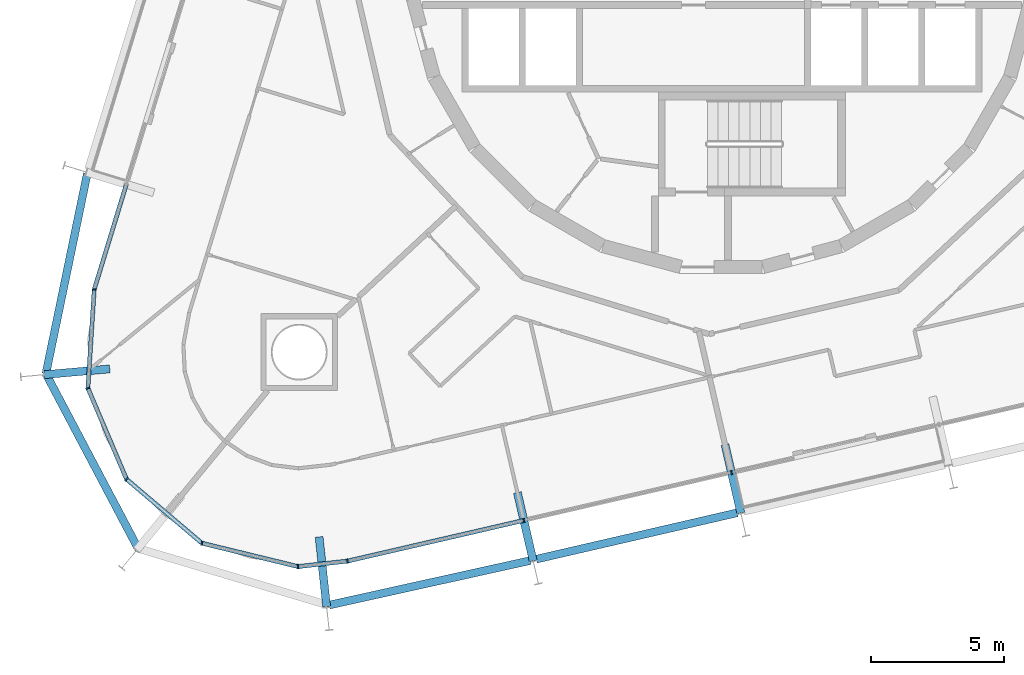
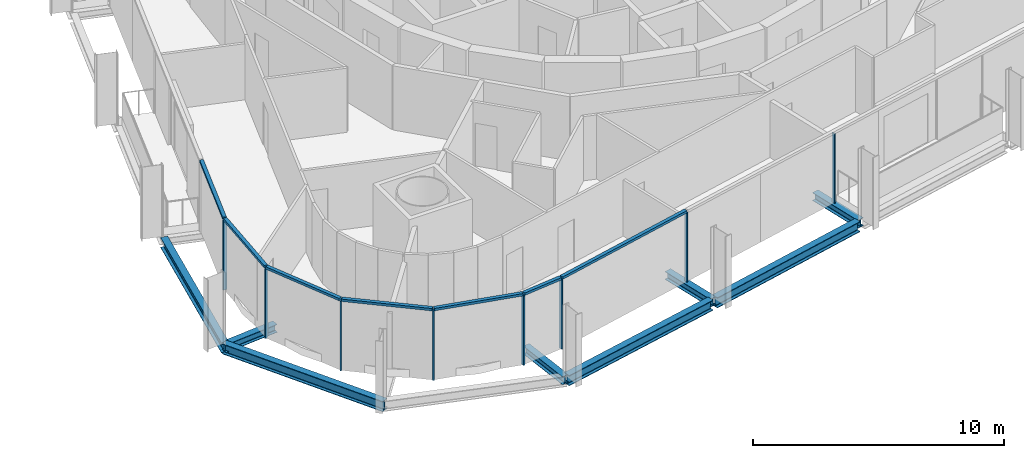
# One storey, part 3 of 18: 15 members, 8 beams, 2 elements without a shape of their own.
"""IFC4 building model written with IfcOpenShell, lengths in metres."""

from ifc_helpers import new_model, si_unit, direction, frame, origin, origin_2d, place, context, subcontext, project, spatial, rectangle, i_section, extrude, material, layer, layer_set, material_profile, profile_set, type_object, element, aggregate, save


model = new_model("IFC4")

# Units and contexts
model_context = context("Model", 3, precision=1e-05, world=origin(), true_north=direction((0.0, 1.0)))
body_context = subcontext(model_context, "Body", "Model", "MODEL_VIEW")
ifc_project = project(units=[si_unit("LENGTHUNIT", "METRE"), si_unit("AREAUNIT", "SQUARE_METRE"), si_unit("VOLUMEUNIT", "CUBIC_METRE"), si_unit("PLANEANGLEUNIT", "RADIAN"), si_unit("MASSUNIT", "GRAM", prefix="KILO")], contexts=[model_context])

# Site, building, storey
site_placement = place(None, origin())
site = spatial("IfcSite", under=ifc_project, at=site_placement, CompositionType="ELEMENT")
building_placement = place(site_placement, origin())
building = spatial("IfcBuilding", under=site, at=building_placement, Name="Spindle Arch Residences", CompositionType="ELEMENT")
storey_placement = place(building_placement, frame((0.0, 0.0, 137.89990234375)))
storey = spatial("IfcBuildingStorey", under=building, at=storey_placement, Name="L34", CompositionType="ELEMENT", Elevation=137.89990234375)

# Curtain wall, members
ifc_material_1 = material(Name="Aluminium bronze unitised frame with tinted glass", Category="aluminium")
ifc_layer_1 = layer(ifc_material_1, 0.159912109375)
ifc_layer_set_1 = layer_set([ifc_layer_1], Name="CW-D corner wall on the fillet arcs")
curtain_wall_type_1 = type_object("IfcCurtainWallType", Name="CW-D corner wall on the fillet arcs", PredefinedType="NOTDEFINED", material=ifc_layer_set_1)
curtain_wall_1_placement = place(storey_placement, origin())
curtain_wall_1 = element("IfcCurtainWall", 1, at=curtain_wall_1_placement, inside=storey, type_object=curtain_wall_type_1, Name="CW-D L34 run 5", PredefinedType="NOTDEFINED")
ifc_material_2 = material(Name="Aluminium bronze anodised mullion", Category="aluminium")
ifc_material_profile_1 = material_profile(ifc_material_2, rectangle(XDim=0.159912109375, YDim=0.06005859375, at=origin_2d()), Name="MU 60x160")
ifc_profile_set_1 = profile_set([ifc_material_profile_1], Name="Aluminium bronze anodised mullion")
member_type_1 = type_object("IfcMemberType", Name="Bronze mullion 60x160", PredefinedType="MULLION", material=ifc_profile_set_1)
member_1_placement = place(storey_placement, frame((-23.6572265625, -12.49267578125, -0.3798828125), z_axis=(0.0, 0.0, 1.0), x_axis=(0.997952993046, -0.063951729226, 0.0)))
member_1 = element("IfcMember", 2, at=member_1_placement, type_object=member_type_1, Name="CW-D mullion 01", PredefinedType="MULLION", context=body_context, shape_type="SweptSolid", body=[
    extrude(rectangle(XDim=0.159912109375, YDim=0.06005859375, at=origin_2d()), origin(), (0.0, 0.0, 1.0), 3.3798828125),
])
member_2_placement = place(storey_placement, frame((-23.8955078125, -16.2119140625, -0.3798828125), z_axis=(0.0, 0.0, 1.0), x_axis=(0.920504854032, 0.390731127124, 0.0)))
member_2 = element("IfcMember", 3, at=member_2_placement, type_object=member_type_1, Name="CW-D mullion 02", PredefinedType="MULLION", context=body_context, shape_type="SweptSolid", body=[
    extrude(rectangle(XDim=0.159912109375, YDim=0.06005859375, at=origin_2d()), origin(), (0.0, 0.0, 1.0), 3.3798828125),
])
member_3_placement = place(storey_placement, frame((-22.439208984375, -19.642333984375, -0.3798828125), z_axis=(0.0, 0.0, 1.0), x_axis=(0.647233374321, 0.762291912042, 0.0)))
member_3 = element("IfcMember", 4, at=member_3_placement, type_object=member_type_1, Name="CW-D mullion 03", PredefinedType="MULLION", context=body_context, shape_type="SweptSolid", body=[
    extrude(rectangle(XDim=0.159912109375, YDim=0.06005859375, at=origin_2d()), origin(), (0.0, 0.0, 1.0), 3.3798828125),
])
member_4_placement = place(storey_placement, frame((-19.598388671875, -22.054443359375, -0.3798828125), z_axis=(0.0, 0.0, 1.0), x_axis=(0.23627288281, 0.971686742139, 0.0)))
member_4 = element("IfcMember", 5, at=member_4_placement, type_object=member_type_1, Name="CW-D mullion 04", PredefinedType="MULLION", context=body_context, shape_type="SweptSolid", body=[
    extrude(rectangle(XDim=0.159912109375, YDim=0.06005859375, at=origin_2d()), origin(), (0.0, 0.0, 1.0), 3.3798828125),
])
member_5_placement = place(storey_placement, frame((-15.977294921875, -22.93505859375, -0.3798828125), z_axis=(0.0, 0.0, 1.0), x_axis=(-0.110312554381, 0.993896946542, 0.0)))
member_5 = element("IfcMember", 6, at=member_5_placement, type_object=member_type_1, Name="CW-D mullion 05", PredefinedType="MULLION", context=body_context, shape_type="SweptSolid", body=[
    extrude(rectangle(XDim=0.159912109375, YDim=0.06005859375, at=origin_2d()), origin(), (0.0, 0.0, 1.0), 3.3798828125),
])
member_6_placement = place(storey_placement, frame((-14.112548828125, -22.72802734375, -0.3798828125), z_axis=(0.0, 0.0, 1.0), x_axis=(-0.224951054344, 0.974370064785, 0.0)))
member_6 = element("IfcMember", 7, at=member_6_placement, type_object=member_type_1, Name="CW-D mullion 06", PredefinedType="MULLION", context=body_context, shape_type="SweptSolid", body=[
    extrude(rectangle(XDim=0.159912109375, YDim=0.06005859375, at=origin_2d()), origin(), (0.0, 0.0, 1.0), 3.3798828125),
])

ifc_material_3 = material(Name="Aluminium bronze unitised frame with tinted glass", Category="aluminium")
ifc_layer_2 = layer(ifc_material_3, 0.159912109375)
ifc_layer_set_2 = layer_set([ifc_layer_2], Name="CW-C typical residential unitised wall")
curtain_wall_type_2 = type_object("IfcCurtainWallType", Name="CW-C typical residential unitised wall", PredefinedType="NOTDEFINED", material=ifc_layer_set_2)
curtain_wall_2_placement = place(storey_placement, origin())
curtain_wall_2 = element("IfcCurtainWall", 8, at=curtain_wall_2_placement, inside=storey, type_object=curtain_wall_type_2, Name="CW-C L34 run 6", PredefinedType="NOTDEFINED")
member_7_placement = place(storey_placement, frame((-7.467529296875, -21.19384765625, -0.3798828125), z_axis=(0.0, 0.0, 1.0), x_axis=(-0.224951054344, 0.974370064785, 0.0)))
member_7 = element("IfcMember", 9, at=member_7_placement, type_object=member_type_1, Name="CW-C mullion 20", PredefinedType="MULLION", context=body_context, shape_type="SweptSolid", body=[
    extrude(rectangle(XDim=0.159912109375, YDim=0.06005859375, at=origin_2d()), origin(), (0.0, 0.0, 1.0), 3.3798828125),
])
member_8_placement = place(storey_placement, frame((0.355712890625, -19.3876953125, -0.3798828125), z_axis=(0.0, 0.0, 1.0), x_axis=(-0.224951054344, 0.974370064785, 0.0)))
member_8 = element("IfcMember", 10, at=member_8_placement, type_object=member_type_1, Name="CW-C mullion 21", PredefinedType="MULLION", context=body_context, shape_type="SweptSolid", body=[
    extrude(rectangle(XDim=0.159912109375, YDim=0.06005859375, at=origin_2d()), origin(), (0.0, 0.0, 1.0), 3.3798828125),
])
aggregate(curtain_wall_2, [member_7, member_8])

# Member
ifc_material_4 = material(Name="Aluminium bronze anodised transom", Category="aluminium")
ifc_material_profile_2 = material_profile(ifc_material_4, rectangle(XDim=0.159912109375, YDim=0.1201171875, at=origin_2d()), Name="TR 120x160")
ifc_profile_set_2 = profile_set([ifc_material_profile_2], Name="Aluminium bronze anodised transom")
member_type_2 = type_object("IfcMemberType", Name="Bronze transom 120x160", PredefinedType="USERDEFINED", material=ifc_profile_set_2)
member_9_placement = place(storey_placement, frame((-22.45458984375, -8.55908203125, 3.06005859375), z_axis=(-0.292362833345, -0.95630746817, 0.0), x_axis=(0.95630746817, -0.292362833345, 0.0)))
member_9 = element("IfcMember", 11, at=member_9_placement, type_object=member_type_2, Name="CW-D transom 00", ObjectType="TRANSOM", PredefinedType="USERDEFINED", context=body_context, shape_type="SweptSolid", body=[
    extrude(rectangle(XDim=0.159912109375, YDim=0.1201171875, at=origin_2d()), origin(), (0.0, 0.0, 1.0), 4.08349609375),
])

member_10_placement = place(storey_placement, frame((-23.6591796875, -12.522705078125, 3.06005859375), z_axis=(-0.063920256807, -0.997955009392, 0.0), x_axis=(0.997955009392, -0.063920256807, 0.0)))
member_10 = element("IfcMember", 12, at=member_10_placement, type_object=member_type_2, Name="CW-D transom 01", ObjectType="TRANSOM", PredefinedType="USERDEFINED", context=body_context, shape_type="SweptSolid", body=[
    extrude(rectangle(XDim=0.159912109375, YDim=0.1201171875, at=origin_2d()), origin(), (0.0, 0.0, 1.0), 3.666748046875),
])

member_11_placement = place(storey_placement, frame((-23.8837890625, -16.239501953125, 3.06005859375), z_axis=(0.39076699022, -0.920489630226, 0.0), x_axis=(0.920489630226, 0.39076699022, 0.0)))
member_11 = element("IfcMember", 13, at=member_11_placement, type_object=member_type_2, Name="CW-D transom 02", ObjectType="TRANSOM", PredefinedType="USERDEFINED", context=body_context, shape_type="SweptSolid", body=[
    extrude(rectangle(XDim=0.159912109375, YDim=0.1201171875, at=origin_2d()), origin(), (0.0, 0.0, 1.0), 3.666748046875),
])

member_12_placement = place(storey_placement, frame((-22.41650390625, -19.661865234375, 3.06005859375), z_axis=(0.762289120673, -0.647236661897, 0.0), x_axis=(0.647236661897, 0.762289120673, 0.0)))
member_12 = element("IfcMember", 14, at=member_12_placement, type_object=member_type_2, Name="CW-D transom 03", ObjectType="TRANSOM", PredefinedType="USERDEFINED", context=body_context, shape_type="SweptSolid", body=[
    extrude(rectangle(XDim=0.159912109375, YDim=0.1201171875, at=origin_2d()), origin(), (0.0, 0.0, 1.0), 3.666748046875),
])

member_13_placement = place(storey_placement, frame((-19.5693359375, -22.0615234375, 3.06005859375), z_axis=(0.971681239144, -0.236295513068, 0.0), x_axis=(0.236295513068, 0.971681239144, 0.0)))
member_13 = element("IfcMember", 15, at=member_13_placement, type_object=member_type_2, Name="CW-D transom 04", ObjectType="TRANSOM", PredefinedType="USERDEFINED", context=body_context, shape_type="SweptSolid", body=[
    extrude(rectangle(XDim=0.159912109375, YDim=0.1201171875, at=origin_2d()), origin(), (0.0, 0.0, 1.0), 3.666748046875),
])

member_14_placement = place(storey_placement, frame((-15.947509765625, -22.931640625, 3.06005859375), z_axis=(0.993906663087, 0.110224974808, 0.0), x_axis=(-0.110224974808, 0.993906663087, 0.0)))
member_14 = element("IfcMember", 16, at=member_14_placement, type_object=member_type_2, Name="CW-D transom 05", ObjectType="TRANSOM", PredefinedType="USERDEFINED", context=body_context, shape_type="SweptSolid", body=[
    extrude(rectangle(XDim=0.159912109375, YDim=0.1201171875, at=origin_2d()), origin(), (0.0, 0.0, 1.0), 1.816162109375),
])

member_15_placement = place(storey_placement, frame((-14.083251953125, -22.721435546875, 3.06005859375), z_axis=(0.974365014398, 0.224972928856, 0.0), x_axis=(-0.224972928856, 0.974365014398, 0.0)))
member_15 = element("IfcMember", 17, at=member_15_placement, type_object=member_type_2, Name="CW-D transom 06", ObjectType="TRANSOM", PredefinedType="USERDEFINED", context=body_context, shape_type="SweptSolid", body=[
    extrude(rectangle(XDim=0.159912109375, YDim=0.1201171875, at=origin_2d()), origin(), (0.0, 0.0, 1.0), 6.759765625),
])

aggregate(curtain_wall_1, [member_9, member_1, member_10, member_2, member_11, member_3, member_12, member_4, member_13, member_5, member_14, member_6, member_15])

# Beams
ifc_material_5 = material(Name="Steel S460ML, intumescent coating R 120", Category="steel")
ifc_material_profile_3 = material_profile(ifc_material_5, i_section(OverallWidth=0.300048828125, OverallDepth=0.5, WebThickness=0.014404296875, FlangeThickness=0.028076171875, FilletRadius=0.027099609375, at=origin_2d()), Name="HEB 500")
ifc_profile_set_3 = profile_set([ifc_material_profile_3], Name="Steel S460ML, intumescent coating R 120")
beam_type_1 = type_object("IfcBeamType", Name="Exoskeleton edge beam HEB 500", PredefinedType="BEAM", material=ifc_profile_set_3)
beam_1_placement = place(storey_placement, frame((-23.91650390625, -8.1181640625, -0.6298828125), z_axis=(-0.202483065161, -0.979285764383, 0.0), x_axis=(0.979285764383, -0.202483065161, 0.0)))
element("IfcBeam", 18, at=beam_1_placement, inside=storey, type_object=beam_type_1, Name="Exoskeleton edge beam 17", PredefinedType="BEAM", context=body_context, shape_type="SweptSolid", body=[
    extrude(i_section(OverallWidth=0.300048828125, OverallDepth=0.5, WebThickness=0.014404296875, FlangeThickness=0.028076171875, FilletRadius=0.027099609375, at=origin_2d()), origin(), (0.0, 0.0, 1.0), 7.708251953125),
])
beam_2_placement = place(storey_placement, frame((-25.4970703125, -15.62939453125, -0.6298828125), z_axis=(0.466652663296, -0.884440666093, 0.0), x_axis=(0.884440666093, 0.466652663296, 0.0)))
element("IfcBeam", 19, at=beam_2_placement, inside=storey, type_object=beam_type_1, Name="Exoskeleton edge beam 18", PredefinedType="BEAM", context=body_context, shape_type="SweptSolid", body=[
    extrude(i_section(OverallWidth=0.300048828125, OverallDepth=0.5, WebThickness=0.014404296875, FlangeThickness=0.028076171875, FilletRadius=0.027099609375, at=origin_2d()), origin(), (0.0, 0.0, 1.0), 7.559326171875),
])
beam_3_placement = place(storey_placement, frame((-14.804443359375, -24.385986328125, -0.6298828125), z_axis=(0.97635466486, 0.216174856093, 0.0), x_axis=(-0.216174856093, 0.97635466486, 0.0)))
element("IfcBeam", 20, at=beam_3_placement, inside=storey, type_object=beam_type_1, Name="Exoskeleton edge beam 20", PredefinedType="BEAM", context=body_context, shape_type="SweptSolid", body=[
    extrude(i_section(OverallWidth=0.300048828125, OverallDepth=0.5, WebThickness=0.014404296875, FlangeThickness=0.028076171875, FilletRadius=0.027099609375, at=origin_2d()), origin(), (0.0, 0.0, 1.0), 7.7666015625),
])
beam_4_placement = place(storey_placement, frame((-6.99658203125, -22.655517578125, -0.6298828125), z_axis=(0.974365237053, 0.224971964525, 0.0), x_axis=(-0.224971964525, 0.974365237053, 0.0)))
element("IfcBeam", 21, at=beam_4_placement, inside=storey, type_object=beam_type_1, Name="Exoskeleton edge beam 21", PredefinedType="BEAM", context=body_context, shape_type="SweptSolid", body=[
    extrude(i_section(OverallWidth=0.300048828125, OverallDepth=0.5, WebThickness=0.014404296875, FlangeThickness=0.028076171875, FilletRadius=0.027099609375, at=origin_2d()), origin(), (0.0, 0.0, 1.0), 7.76904296875),
])
ifc_material_6 = material(Name="Steel S460ML, intumescent coating R 120", Category="steel")
ifc_material_profile_4 = material_profile(ifc_material_6, i_section(OverallWidth=0.300048828125, OverallDepth=0.389892578125, WebThickness=0.010986328125, FlangeThickness=0.01904296875, FilletRadius=0.027099609375, at=origin_2d()), Name="HEA 400")
ifc_profile_set_4 = profile_set([ifc_material_profile_4], Name="Steel S460ML, intumescent coating R 120")
beam_type_2 = type_object("IfcBeamType", Name="Floor outrigger HEA 400", PredefinedType="BEAM", material=ifc_profile_set_4)
beam_5_placement = place(storey_placement, frame((-25.542724609375, -15.703369140625, -0.574951171875), z_axis=(0.996132127572, 0.087867994282, 0.0), x_axis=(-0.087867994282, 0.996132127572, 0.0)))
element("IfcBeam", 22, at=beam_5_placement, inside=storey, type_object=beam_type_2, Name="Floor outrigger 18", PredefinedType="BEAM", context=body_context, shape_type="SweptSolid", body=[
    extrude(i_section(OverallWidth=0.300048828125, OverallDepth=0.389892578125, WebThickness=0.010986328125, FlangeThickness=0.01904296875, FilletRadius=0.027099609375, at=origin_2d()), origin(), (0.0, 0.0, 1.0), 2.48388671875),
])
for number, where, z_axis, x_axis, name in (
    (23, (-14.898193359375, -24.44970703125, -0.574951171875), (-0.106962509845, 0.994263054472, 0.0), (-0.994263054472, -0.106962509845, 0.0), "Floor outrigger 20"),
    (24, (-7.1142578125, -22.7236328125, -0.574951171875), (-0.224980619228, 0.974363238721, 0.0), (-0.974363238721, -0.224980619228, 0.0), "Floor outrigger 21"),
    (25, (0.708984375, -20.91748046875, -0.574951171875), (-0.224980619228, 0.974363238721, 0.0), (-0.974363238721, -0.224980619228, 0.0), "Floor outrigger 22"),
):
    element("IfcBeam", number, at=place(storey_placement, frame(where, z_axis=z_axis, x_axis=x_axis)), inside=storey, type_object=beam_type_2, Name=name, PredefinedType="BEAM", context=body_context, shape_type="SweptSolid", body=[
        extrude(i_section(OverallWidth=0.300048828125, OverallDepth=0.389892578125, WebThickness=0.010986328125, FlangeThickness=0.01904296875, FilletRadius=0.027099609375, at=origin_2d()), origin(), (0.0, 0.0, 1.0), 2.64990234375),
    ])

save(model, "model.ifc")
